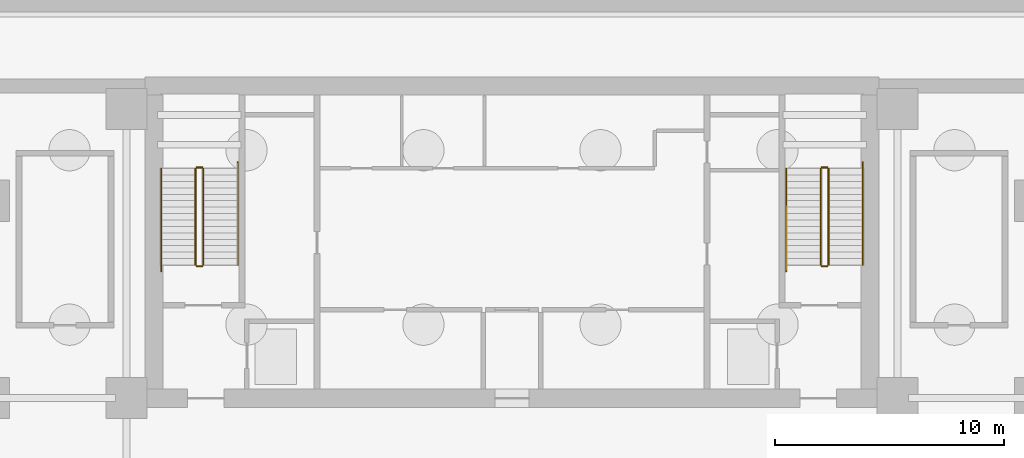
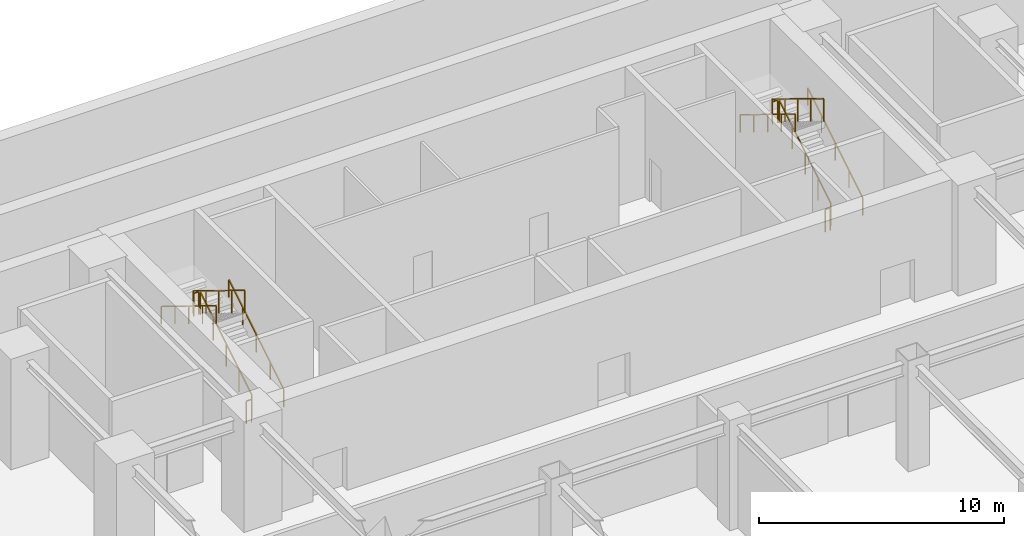
# One storey, part 7 of 9: 12 railings.
"""IFC4 building model written with IfcOpenShell, lengths in metres."""

import ifcopenshell
import ifcopenshell.guid

model = None  # the IFC model being written
_history = None  # IfcOwnerHistory: only IFC2X3 demands one
_inside = {}  # id of a spatial element -> (the spatial element, [elements in it])
_under = {}  # id of a project, library or spatial element -> (it, [spatial elements below it])
_declared = {}  # id of a project -> (the project, [libraries it declares])
_typed = {}  # id of a type object -> (the type object, [elements of that type])
_made_of = {}  # id of a material, layer set ... -> (it, [elements and type objects made of it])


def new_model(schema):
    """Start an empty IFC model of exactly this schema.

    Asked for "IFC4X3", IfcOpenShell would pick the latest addendum, in which some entities
    have other attributes; the version numbers below select the first issue.
    IFC2X3 requires an IfcOwnerHistory on every rooted entity: one is made here for all.
    """
    global model, _history
    if schema == "IFC4X3":
        model = ifcopenshell.file(schema_version=(4, 3, 0, 0))
    else:
        model = ifcopenshell.file(schema=schema)
    _inside.clear()
    _under.clear()
    _declared.clear()
    _typed.clear()
    _made_of.clear()
    _history = None
    if model.schema == "IFC2X3":
        org = make("IfcOrganization", Name="unknown")
        user = make(
            "IfcPersonAndOrganization",
            ThePerson=make("IfcPerson", FamilyName="unknown"),
            TheOrganization=org,
        )
        app = make(
            "IfcApplication",
            ApplicationDeveloper=org,
            Version="unknown",
            ApplicationFullName="unknown",
            ApplicationIdentifier="unknown",
        )
        _history = make(
            "IfcOwnerHistory",
            OwningUser=user,
            OwningApplication=app,
            ChangeAction="ADDED",
            CreationDate=0,
        )
    return model


def make(cls, **values):
    """One entity of the class cls with the attributes given. An attribute that is None is left unset."""
    return model.create_entity(
        cls, **{name: value for name, value in values.items() if value is not None}
    )


def rooted(cls, **values):
    """An entity with a GlobalId (a new one), such as an element, a storey or a relation."""
    return make(cls, GlobalId=ifcopenshell.guid.new(), OwnerHistory=_history, **values)


def si_unit(unit_type, name, prefix=None):
    """IfcSIUnit, for example si_unit("LENGTHUNIT", "METRE", prefix="MILLI")."""
    return make("IfcSIUnit", UnitType=unit_type, Prefix=prefix, Name=name)


def assignment(units):
    """IfcUnitAssignment: the units of a project."""
    return None if units is None else make("IfcUnitAssignment", Units=units)


def point(xyz):
    """IfcCartesianPoint."""
    return None if xyz is None else make("IfcCartesianPoint", Coordinates=xyz)


def direction(xyz):
    """IfcDirection."""
    return None if xyz is None else make("IfcDirection", DirectionRatios=xyz)


def frame(location, z_axis=None, x_axis=None):
    """IfcAxis2Placement3D, a coordinate frame: its origin and axes. An axis left out is left unset."""
    return make(
        "IfcAxis2Placement3D",
        Location=point(location),
        Axis=direction(z_axis),
        RefDirection=direction(x_axis),
    )


def frame_2d(location, x_axis=None):
    """IfcAxis2Placement2D, a coordinate frame in the plane: its origin and x axis."""
    return make(
        "IfcAxis2Placement2D", Location=point(location), RefDirection=direction(x_axis)
    )


def origin():
    """The frame at (0, 0, 0) with its axes left unset."""
    return frame((0.0, 0.0, 0.0))


def origin_2d():
    """The frame at (0, 0) in the plane with its x axis left unset."""
    return frame_2d((0.0, 0.0))


def place(relative_to, where):
    """IfcLocalPlacement: puts the frame where relative to a parent placement (None: the world)."""
    return make(
        "IfcLocalPlacement", PlacementRelTo=relative_to, RelativePlacement=where
    )


def context(
    kind, dimensions, precision=None, world=None, true_north=None, identifier=None
):
    """IfcGeometricRepresentationContext, for example the 3D "Model" context."""
    return make(
        "IfcGeometricRepresentationContext",
        ContextIdentifier=identifier,
        ContextType=kind,
        CoordinateSpaceDimension=dimensions,
        Precision=precision,
        WorldCoordinateSystem=world,
        TrueNorth=true_north,
    )


def subcontext(parent, identifier, kind, view, scale=None):
    """IfcGeometricRepresentationSubContext, for example "Body" below "Model"."""
    return make(
        "IfcGeometricRepresentationSubContext",
        ContextIdentifier=identifier,
        ContextType=kind,
        ParentContext=parent,
        TargetScale=scale,
        TargetView=view,
    )


def project(units=None, contexts=None):
    """IfcProject with its units and contexts."""
    return rooted(
        "IfcProject",
        Name="project",
        RepresentationContexts=contexts,
        UnitsInContext=assignment(units),
    )


def spatial(cls, under=None, at=None, **own):
    """A site, building, storey or space (cls), placed at a placement, below another one or the project."""
    s = rooted(cls, ObjectPlacement=at, **own)
    if under is not None:
        _under.setdefault(under.id(), (under, []))[1].append(s)
    return s


def profile(cls, at=None, kind="AREA", **sizes):
    """A parametric profile (cls). Its sizes go by their IFC names, for example OverallWidth=200.0."""
    return make(cls, ProfileType=kind, Position=at, **sizes)


def rectangle(**sizes):
    """IfcRectangleProfileDef."""
    return profile("IfcRectangleProfileDef", **sizes)


def extrude(swept, where, along, depth):
    """IfcExtrudedAreaSolid: the profile swept, set in the frame where, extruded along a direction by depth."""
    return make(
        "IfcExtrudedAreaSolid",
        SweptArea=swept,
        Position=where,
        ExtrudedDirection=direction(along),
        Depth=depth,
    )


def shape(context_of_items, identifier, shape_type, items):
    """IfcShapeRepresentation: the items that make up one representation, for example the "Body"."""
    return make(
        "IfcShapeRepresentation",
        ContextOfItems=context_of_items,
        RepresentationIdentifier=identifier,
        RepresentationType=shape_type,
        Items=items,
    )


def material(Name=None, Category=None):
    """IfcMaterial."""
    return make("IfcMaterial", Name=Name, Category=Category)


def made_of(thing, what):
    """Note that an element or type object is made of a material, layer set ...; save() writes the relation."""
    if what is not None:
        _made_of.setdefault(what.id(), (what, []))[1].append(thing)
    return thing


def type_object(cls, material=None, **own):
    """A type object (cls), such as IfcWallType, which elements share."""
    return made_of(rooted(cls, **own), material)


def element(
    cls,
    number,
    at=None,
    inside=None,
    cuts=None,
    type_object=None,
    material=None,
    context=None,
    identifier="Body",
    shape_type=None,
    held_by="IfcProductDefinitionShape",
    body=None,
    shapes=None,
    **own,
):
    """One element of the class cls, such as IfcWall. Its Tag is "e" and its number.

    at: its placement. inside: the storey or other place that contains it. cuts: it is an
    opening in that element (IfcRelVoidsElement). A single representation is given by context,
    identifier, shape_type and body (its items); several are given by shapes. held_by: the class
    of the entity that holds the representations. save() writes the other relations.
    """
    e = rooted(cls, Tag="e%d" % number, ObjectPlacement=at, **own)
    if body is not None:
        shapes = [shape(context, identifier, shape_type, body)]
    if shapes is not None:
        e.Representation = make(held_by, Representations=shapes)
    if inside is not None:
        _inside.setdefault(inside.id(), (inside, []))[1].append(e)
    if cuts is not None:
        rooted(
            "IfcRelVoidsElement", RelatingBuildingElement=cuts, RelatedOpeningElement=e
        )
    if type_object is not None:
        _typed.setdefault(type_object.id(), (type_object, []))[1].append(e)
    return made_of(e, material)


def aggregate(whole, parts):
    """IfcRelAggregates: a whole, such as a stair, and the parts it consists of."""
    return rooted("IfcRelAggregates", RelatingObject=whole, RelatedObjects=parts)


def save(model, path):
    """Write the relations noted so far, then the file.

    IfcRelAggregates (storeys below a building ...), IfcRelContainedInSpatialStructure (elements
    in a storey), IfcRelDefinesByType, IfcRelAssociatesMaterial and IfcRelDeclares: one each for
    every whole, place, type object, material and project.
    """
    for whole, parts in _under.values():
        aggregate(whole, parts)
    for where, things in _inside.values():
        rooted(
            "IfcRelContainedInSpatialStructure",
            RelatedElements=things,
            RelatingStructure=where,
        )
    for kind, things in _typed.values():
        rooted("IfcRelDefinesByType", RelatedObjects=things, RelatingType=kind)
    for what, things in _made_of.values():
        rooted("IfcRelAssociatesMaterial", RelatedObjects=things, RelatingMaterial=what)
    for by, libraries in _declared.values():
        rooted("IfcRelDeclares", RelatingContext=by, RelatedDefinitions=libraries)
    model.write(path)


model = new_model("IFC4")

# Units and contexts
model_context = context("Model", 3, precision=1e-05, world=origin(), true_north=direction((0.0, 1.0)))
body_context = subcontext(model_context, "Body", "Model", "MODEL_VIEW")
ifc_project = project(units=[si_unit("LENGTHUNIT", "METRE"), si_unit("AREAUNIT", "SQUARE_METRE"), si_unit("VOLUMEUNIT", "CUBIC_METRE"), si_unit("PLANEANGLEUNIT", "RADIAN"), si_unit("MASSUNIT", "GRAM", prefix="KILO")], contexts=[model_context])

# Site, building, storey
site_placement = place(None, origin())
site = spatial("IfcSite", under=ifc_project, at=site_placement, CompositionType="ELEMENT")
building_placement = place(site_placement, origin())
building = spatial("IfcBuilding", under=site, at=building_placement, Name="Sumidabori Civic Tower", CompositionType="ELEMENT")
storey_placement = place(building_placement, frame((0.0, 0.0, -11.0)))
storey = spatial("IfcBuildingStorey", under=building, at=storey_placement, Name="B2", CompositionType="ELEMENT", Elevation=-11.0)

# Railings
ifc_material_1 = material(Name="Stainless Steel Hairline Finish", Category="steel")
railing_type_1 = type_object("IfcRailingType", Name="RL-HANDRAIL", PredefinedType="HANDRAIL", material=ifc_material_1)
railing_1_placement = place(storey_placement, frame((-11.949951171875, 16.0, 0.171875)))
element("IfcRailing", 1, at=railing_1_placement, inside=storey, type_object=railing_type_1, Name="B2 ST-1 stair handrail 1", PredefinedType="HANDRAIL", context=body_context, shape_type="SweptSolid", body=[
    extrude(rectangle(XDim=0.048095703125, YDim=0.048095703125, at=origin_2d()), frame((0.0, 0.0, 0.8759765625), z_axis=(0.0, 0.851933970721, 0.523649223747), x_axis=(-1.0, 0.0, 0.0)), (0.0, 0.0, 1.0), 5.258544921875),
    extrude(rectangle(XDim=0.0419921875, YDim=0.0419921875, at=origin_2d()), origin(), (0.0, 0.0, 1.0), 0.851806640625),
    extrude(rectangle(XDim=0.0419921875, YDim=0.0419921875, at=origin_2d()), frame((0.0, 1.1201171875, 0.6884765625)), (0.0, 0.0, 1.0), 0.851806640625),
    extrude(rectangle(XDim=0.0419921875, YDim=0.0419921875, at=origin_2d()), frame((0.0, 2.239990234375, 1.376953125)), (0.0, 0.0, 1.0), 0.851806640625),
    extrude(rectangle(XDim=0.0419921875, YDim=0.0419921875, at=origin_2d()), frame((0.0, 3.35986328125, 2.065185546875)), (0.0, 0.0, 1.0), 0.851806640625),
    extrude(rectangle(XDim=0.0419921875, YDim=0.0419921875, at=origin_2d()), frame((0.0, 4.47998046875, 2.753662109375)), (0.0, 0.0, 1.0), 0.851806640625),
])
railing_2_placement = place(storey_placement, frame((-15.2900390625, 20.199951171875, 2.921875)))
element("IfcRailing", 2, at=railing_2_placement, inside=storey, type_object=railing_type_1, Name="B2 ST-1 stair handrail 2", PredefinedType="HANDRAIL", context=body_context, shape_type="SweptSolid", body=[
    extrude(rectangle(XDim=0.048095703125, YDim=0.048095703125, at=origin_2d()), frame((0.0, 0.0, 0.8759765625), z_axis=(0.0, -0.851933970721, 0.523649223747), x_axis=(1.0, 0.0, 0.0)), (0.0, 0.0, 1.0), 5.258544921875),
    extrude(rectangle(XDim=0.0419921875, YDim=0.0419921875, at=origin_2d()), origin(), (0.0, 0.0, 1.0), 0.851806640625),
    extrude(rectangle(XDim=0.0419921875, YDim=0.0419921875, at=origin_2d()), frame((0.0, -1.1201171875, 0.6884765625)), (0.0, 0.0, 1.0), 0.851806640625),
    extrude(rectangle(XDim=0.0419921875, YDim=0.0419921875, at=origin_2d()), frame((0.0, -2.239990234375, 1.376953125)), (0.0, 0.0, 1.0), 0.851806640625),
    extrude(rectangle(XDim=0.0419921875, YDim=0.0419921875, at=origin_2d()), frame((0.0, -3.35986328125, 2.065185546875)), (0.0, 0.0, 1.0), 0.851806640625),
    extrude(rectangle(XDim=0.0419921875, YDim=0.0419921875, at=origin_2d()), frame((0.0, -4.47998046875, 2.753662109375)), (0.0, 0.0, 1.0), 0.851806640625),
])
railing_3_placement = place(storey_placement, frame((15.2900390625, 16.0, 0.171875)))
element("IfcRailing", 3, at=railing_3_placement, inside=storey, type_object=railing_type_1, Name="B2 ST-2 stair handrail 1", PredefinedType="HANDRAIL", context=body_context, shape_type="SweptSolid", body=[
    extrude(rectangle(XDim=0.048095703125, YDim=0.048095703125, at=origin_2d()), frame((0.0, 0.0, 0.8759765625), z_axis=(0.0, 0.851933970721, 0.523649223747), x_axis=(-1.0, 0.0, 0.0)), (0.0, 0.0, 1.0), 5.258544921875),
    extrude(rectangle(XDim=0.0419921875, YDim=0.0419921875, at=origin_2d()), origin(), (0.0, 0.0, 1.0), 0.851806640625),
    extrude(rectangle(XDim=0.0419921875, YDim=0.0419921875, at=origin_2d()), frame((0.0, 1.1201171875, 0.6884765625)), (0.0, 0.0, 1.0), 0.851806640625),
    extrude(rectangle(XDim=0.0419921875, YDim=0.0419921875, at=origin_2d()), frame((0.0, 2.239990234375, 1.376953125)), (0.0, 0.0, 1.0), 0.851806640625),
    extrude(rectangle(XDim=0.0419921875, YDim=0.0419921875, at=origin_2d()), frame((0.0, 3.35986328125, 2.065185546875)), (0.0, 0.0, 1.0), 0.851806640625),
    extrude(rectangle(XDim=0.0419921875, YDim=0.0419921875, at=origin_2d()), frame((0.0, 4.47998046875, 2.753662109375)), (0.0, 0.0, 1.0), 0.851806640625),
])
railing_4_placement = place(storey_placement, frame((11.949951171875, 20.199951171875, 2.921875)))
element("IfcRailing", 4, at=railing_4_placement, inside=storey, type_object=railing_type_1, Name="B2 ST-2 stair handrail 2", PredefinedType="HANDRAIL", context=body_context, shape_type="SweptSolid", body=[
    extrude(rectangle(XDim=0.048095703125, YDim=0.048095703125, at=origin_2d()), frame((0.0, 0.0, 0.8759765625), z_axis=(0.0, -0.851933970721, 0.523649223747), x_axis=(1.0, 0.0, 0.0)), (0.0, 0.0, 1.0), 5.258544921875),
    extrude(rectangle(XDim=0.0419921875, YDim=0.0419921875, at=origin_2d()), origin(), (0.0, 0.0, 1.0), 0.851806640625),
    extrude(rectangle(XDim=0.0419921875, YDim=0.0419921875, at=origin_2d()), frame((0.0, -1.1201171875, 0.6884765625)), (0.0, 0.0, 1.0), 0.851806640625),
    extrude(rectangle(XDim=0.0419921875, YDim=0.0419921875, at=origin_2d()), frame((0.0, -2.239990234375, 1.376953125)), (0.0, 0.0, 1.0), 0.851806640625),
    extrude(rectangle(XDim=0.0419921875, YDim=0.0419921875, at=origin_2d()), frame((0.0, -3.35986328125, 2.065185546875)), (0.0, 0.0, 1.0), 0.851806640625),
    extrude(rectangle(XDim=0.0419921875, YDim=0.0419921875, at=origin_2d()), frame((0.0, -4.47998046875, 2.753662109375)), (0.0, 0.0, 1.0), 0.851806640625),
])
ifc_material_2 = material(Name="Steel SN490", Category="steel")
railing_type_2 = type_object("IfcRailingType", Name="RL-STAIR-GUARD", PredefinedType="GUARDRAIL", material=ifc_material_2)
railing_5_placement = place(storey_placement, frame((-13.449951171875, 16.0, 0.171875)))
element("IfcRailing", 5, at=railing_5_placement, inside=storey, type_object=railing_type_2, Name="B2 ST-1 stair guard 1", PredefinedType="GUARDRAIL", context=body_context, shape_type="SweptSolid", body=[
    extrude(rectangle(XDim=0.048095703125, YDim=0.048095703125, at=origin_2d()), frame((0.0, 0.0, 1.1259765625), z_axis=(0.0, 0.852242915053, 0.523146264196), x_axis=(-1.0, 0.0, 0.0)), (0.0, 0.0, 1.0), 4.92822265625),
    extrude(rectangle(XDim=0.0419921875, YDim=0.0419921875, at=origin_2d()), origin(), (0.0, 0.0, 1.0), 1.101806640625),
    extrude(rectangle(XDim=0.0419921875, YDim=0.0419921875, at=origin_2d()), frame((0.0, 1.050048828125, 0.64453125)), (0.0, 0.0, 1.0), 1.101806640625),
    extrude(rectangle(XDim=0.0419921875, YDim=0.0419921875, at=origin_2d()), frame((0.0, 2.10009765625, 1.2890625)), (0.0, 0.0, 1.0), 1.101806640625),
    extrude(rectangle(XDim=0.0419921875, YDim=0.0419921875, at=origin_2d()), frame((0.0, 3.14990234375, 1.93359375)), (0.0, 0.0, 1.0), 1.101806640625),
    extrude(rectangle(XDim=0.0419921875, YDim=0.0419921875, at=origin_2d()), frame((0.0, 4.199951171875, 2.578125)), (0.0, 0.0, 1.0), 1.101806640625),
])
railing_6_placement = place(storey_placement, frame((-13.5, 20.25, 2.75)))
element("IfcRailing", 6, at=railing_6_placement, inside=storey, type_object=railing_type_2, Name="B2 ST-1 stair guard 2", PredefinedType="GUARDRAIL", context=body_context, shape_type="SweptSolid", body=[
    extrude(rectangle(XDim=0.048095703125, YDim=0.048095703125, at=origin_2d()), frame((0.0, 0.0, 1.1259765625), z_axis=(-1.0, 0.0, 0.0), x_axis=(0.0, -1.0, 0.0)), (0.0, 0.0, 1.0), 0.239990234375),
    extrude(rectangle(XDim=0.0419921875, YDim=0.0419921875, at=origin_2d()), origin(), (0.0, 0.0, 1.0), 1.101806640625),
    extrude(rectangle(XDim=0.0419921875, YDim=0.0419921875, at=origin_2d()), frame((-0.239990234375, 0.0, 0.0)), (0.0, 0.0, 1.0), 1.101806640625),
])
railing_7_placement = place(storey_placement, frame((-13.7900390625, 20.199951171875, 2.921875)))
element("IfcRailing", 7, at=railing_7_placement, inside=storey, type_object=railing_type_2, Name="B2 ST-1 stair guard 3", PredefinedType="GUARDRAIL", context=body_context, shape_type="SweptSolid", body=[
    extrude(rectangle(XDim=0.048095703125, YDim=0.048095703125, at=origin_2d()), frame((0.0, 0.0, 1.1259765625), z_axis=(0.0, -0.852242915053, 0.523146264196), x_axis=(1.0, 0.0, 0.0)), (0.0, 0.0, 1.0), 4.92822265625),
    extrude(rectangle(XDim=0.0419921875, YDim=0.0419921875, at=origin_2d()), origin(), (0.0, 0.0, 1.0), 1.101806640625),
    extrude(rectangle(XDim=0.0419921875, YDim=0.0419921875, at=origin_2d()), frame((0.0, -1.050048828125, 0.64453125)), (0.0, 0.0, 1.0), 1.101806640625),
    extrude(rectangle(XDim=0.0419921875, YDim=0.0419921875, at=origin_2d()), frame((0.0, -2.10009765625, 1.2890625)), (0.0, 0.0, 1.0), 1.101806640625),
    extrude(rectangle(XDim=0.0419921875, YDim=0.0419921875, at=origin_2d()), frame((0.0, -3.14990234375, 1.93359375)), (0.0, 0.0, 1.0), 1.101806640625),
    extrude(rectangle(XDim=0.0419921875, YDim=0.0419921875, at=origin_2d()), frame((0.0, -4.199951171875, 2.578125)), (0.0, 0.0, 1.0), 1.101806640625),
])
railing_8_placement = place(storey_placement, frame((-13.5, 15.949951171875, 0.0)))
element("IfcRailing", 8, at=railing_8_placement, inside=storey, type_object=railing_type_2, Name="B2 ST-1 stair guard 4", PredefinedType="GUARDRAIL", context=body_context, shape_type="SweptSolid", body=[
    extrude(rectangle(XDim=0.048095703125, YDim=0.048095703125, at=origin_2d()), frame((0.0, 0.0, 1.1259765625), z_axis=(-1.0, 0.0, 0.0), x_axis=(0.0, -1.0, 0.0)), (0.0, 0.0, 1.0), 0.239990234375),
    extrude(rectangle(XDim=0.0419921875, YDim=0.0419921875, at=origin_2d()), origin(), (0.0, 0.0, 1.0), 1.101806640625),
    extrude(rectangle(XDim=0.0419921875, YDim=0.0419921875, at=origin_2d()), frame((-0.239990234375, 0.0, 0.0)), (0.0, 0.0, 1.0), 1.101806640625),
])
railing_9_placement = place(storey_placement, frame((13.7900390625, 16.0, 0.171875)))
element("IfcRailing", 9, at=railing_9_placement, inside=storey, type_object=railing_type_2, Name="B2 ST-2 stair guard 1", PredefinedType="GUARDRAIL", context=body_context, shape_type="SweptSolid", body=[
    extrude(rectangle(XDim=0.048095703125, YDim=0.048095703125, at=origin_2d()), frame((0.0, 0.0, 1.1259765625), z_axis=(0.0, 0.852242915053, 0.523146264196), x_axis=(-1.0, 0.0, 0.0)), (0.0, 0.0, 1.0), 4.92822265625),
    extrude(rectangle(XDim=0.0419921875, YDim=0.0419921875, at=origin_2d()), origin(), (0.0, 0.0, 1.0), 1.101806640625),
    extrude(rectangle(XDim=0.0419921875, YDim=0.0419921875, at=origin_2d()), frame((0.0, 1.050048828125, 0.64453125)), (0.0, 0.0, 1.0), 1.101806640625),
    extrude(rectangle(XDim=0.0419921875, YDim=0.0419921875, at=origin_2d()), frame((0.0, 2.10009765625, 1.2890625)), (0.0, 0.0, 1.0), 1.101806640625),
    extrude(rectangle(XDim=0.0419921875, YDim=0.0419921875, at=origin_2d()), frame((0.0, 3.14990234375, 1.93359375)), (0.0, 0.0, 1.0), 1.101806640625),
    extrude(rectangle(XDim=0.0419921875, YDim=0.0419921875, at=origin_2d()), frame((0.0, 4.199951171875, 2.578125)), (0.0, 0.0, 1.0), 1.101806640625),
])
railing_10_placement = place(storey_placement, frame((13.739990234375, 20.25, 2.75)))
element("IfcRailing", 10, at=railing_10_placement, inside=storey, type_object=railing_type_2, Name="B2 ST-2 stair guard 2", PredefinedType="GUARDRAIL", context=body_context, shape_type="SweptSolid", body=[
    extrude(rectangle(XDim=0.048095703125, YDim=0.048095703125, at=origin_2d()), frame((0.0, 0.0, 1.1259765625), z_axis=(-1.0, 0.0, 0.0), x_axis=(0.0, -1.0, 0.0)), (0.0, 0.0, 1.0), 0.239990234375),
    extrude(rectangle(XDim=0.0419921875, YDim=0.0419921875, at=origin_2d()), origin(), (0.0, 0.0, 1.0), 1.101806640625),
    extrude(rectangle(XDim=0.0419921875, YDim=0.0419921875, at=origin_2d()), frame((-0.239990234375, 0.0, 0.0)), (0.0, 0.0, 1.0), 1.101806640625),
])
railing_11_placement = place(storey_placement, frame((13.449951171875, 20.199951171875, 2.921875)))
element("IfcRailing", 11, at=railing_11_placement, inside=storey, type_object=railing_type_2, Name="B2 ST-2 stair guard 3", PredefinedType="GUARDRAIL", context=body_context, shape_type="SweptSolid", body=[
    extrude(rectangle(XDim=0.048095703125, YDim=0.048095703125, at=origin_2d()), frame((0.0, 0.0, 1.1259765625), z_axis=(0.0, -0.852242915053, 0.523146264196), x_axis=(1.0, 0.0, 0.0)), (0.0, 0.0, 1.0), 4.92822265625),
    extrude(rectangle(XDim=0.0419921875, YDim=0.0419921875, at=origin_2d()), origin(), (0.0, 0.0, 1.0), 1.101806640625),
    extrude(rectangle(XDim=0.0419921875, YDim=0.0419921875, at=origin_2d()), frame((0.0, -1.050048828125, 0.64453125)), (0.0, 0.0, 1.0), 1.101806640625),
    extrude(rectangle(XDim=0.0419921875, YDim=0.0419921875, at=origin_2d()), frame((0.0, -2.10009765625, 1.2890625)), (0.0, 0.0, 1.0), 1.101806640625),
    extrude(rectangle(XDim=0.0419921875, YDim=0.0419921875, at=origin_2d()), frame((0.0, -3.14990234375, 1.93359375)), (0.0, 0.0, 1.0), 1.101806640625),
    extrude(rectangle(XDim=0.0419921875, YDim=0.0419921875, at=origin_2d()), frame((0.0, -4.199951171875, 2.578125)), (0.0, 0.0, 1.0), 1.101806640625),
])
railing_12_placement = place(storey_placement, frame((13.739990234375, 15.949951171875, 0.0)))
element("IfcRailing", 12, at=railing_12_placement, inside=storey, type_object=railing_type_2, Name="B2 ST-2 stair guard 4", PredefinedType="GUARDRAIL", context=body_context, shape_type="SweptSolid", body=[
    extrude(rectangle(XDim=0.048095703125, YDim=0.048095703125, at=origin_2d()), frame((0.0, 0.0, 1.1259765625), z_axis=(-1.0, 0.0, 0.0), x_axis=(0.0, -1.0, 0.0)), (0.0, 0.0, 1.0), 0.239990234375),
    extrude(rectangle(XDim=0.0419921875, YDim=0.0419921875, at=origin_2d()), origin(), (0.0, 0.0, 1.0), 1.101806640625),
    extrude(rectangle(XDim=0.0419921875, YDim=0.0419921875, at=origin_2d()), frame((-0.239990234375, 0.0, 0.0)), (0.0, 0.0, 1.0), 1.101806640625),
])

save(model, "model.ifc")
